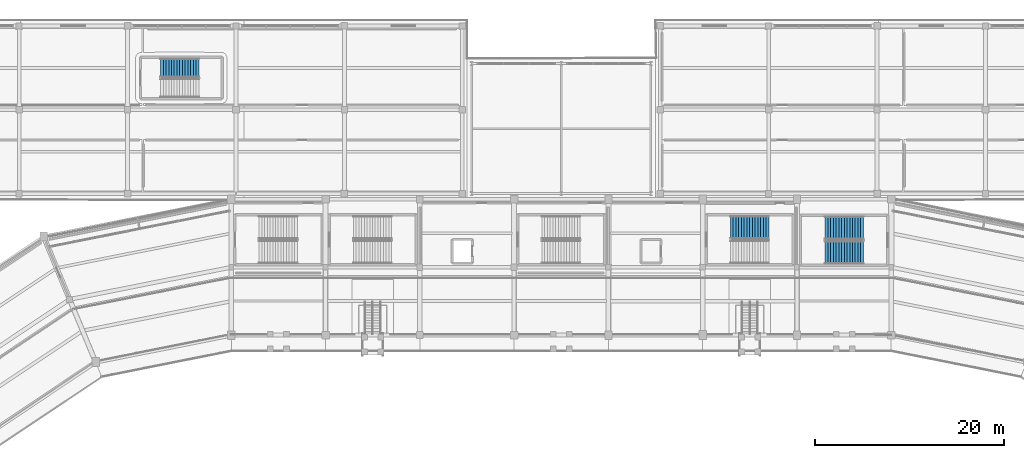
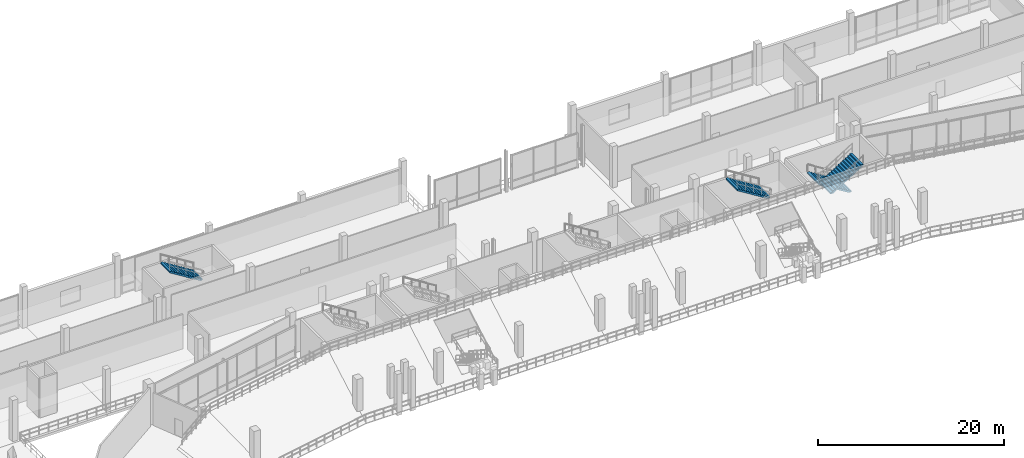
# One storey, part 90 of 127: 4 stair flights, 3 elements without a shape of their own.
"""IFC4 building model written with IfcOpenShell, lengths in metres."""

from ifc_helpers import new_model, si_unit, direction, frame, origin, place, context, subcontext, project, spatial, polyline, outline, extrude, material, type_object, element, aggregate, save


model = new_model("IFC4")

# Units and contexts
model_context = context("Model", 3, precision=1e-05, world=origin(), true_north=direction((0.0, 1.0)))
body_context = subcontext(model_context, "Body", "Model", "MODEL_VIEW")
ifc_project = project(units=[si_unit("LENGTHUNIT", "METRE"), si_unit("AREAUNIT", "SQUARE_METRE"), si_unit("VOLUMEUNIT", "CUBIC_METRE"), si_unit("PLANEANGLEUNIT", "RADIAN"), si_unit("MASSUNIT", "GRAM", prefix="KILO")], contexts=[model_context])

# Site, building, storey
site_placement = place(None, origin())
site = spatial("IfcSite", under=ifc_project, at=site_placement, CompositionType="ELEMENT")
building_placement = place(site_placement, origin())
building = spatial("IfcBuilding", under=site, at=building_placement, Name="Candeia Ridge Stadium", CompositionType="ELEMENT")
storey_placement = place(building_placement, frame((0.0, 0.0, 10.800048828125)))
storey = spatial("IfcBuildingStorey", under=building, at=storey_placement, Name="L02", CompositionType="ELEMENT", Elevation=10.800048828125)

# Stair, stair flights
ifc_material_1 = material(Name="Concrete C40/50", Category="concrete")
stair_type_1 = type_object("IfcStairType", Name="Enclosed Core Half-Turn Stair 2450", PredefinedType="HALF_TURN_STAIR", material=ifc_material_1)
stair_1_placement = place(storey_placement, origin())
stair_1 = element("IfcStair", 1, at=stair_1_placement, inside=storey, type_object=stair_type_1, Name="L02 Enclosed exit stair ST04", PredefinedType="HALF_TURN_STAIR")
ifc_material_2 = material(Name="Precast concrete C40/50", Category="concrete")
stair_flight_type_1 = type_object("IfcStairFlightType", Name="Core Precast Stair Flight 2450", PredefinedType="STRAIGHT", material=ifc_material_2)
stair_flight_1_placement = place(storey_placement, frame((138.050048828125, 143.97509765625, 0.0), z_axis=(0.0, 0.0, 1.0), x_axis=(-1.0, 0.0, 0.0)))
stair_flight_1 = element("IfcStairFlight", 2, at=stair_flight_1_placement, type_object=stair_flight_type_1, Name="ST04 flight 1", NumberOfRisers=15, NumberOfTreads=14, PredefinedType="STRAIGHT", RiserHeight=0.18, TreadLength=0.29, context=body_context, shape_type="SweptSolid", body=[
    extrude(outline(polyline([(0.0, 0.0), (0.0, 0.179931640625), (0.2900390625, 0.179931640625), (0.2900390625, 0.360107421875), (0.580078125, 0.360107421875), (0.580078125, 0.5400390625), (0.8701171875, 0.5400390625), (0.8701171875, 0.719970703125), (1.159912109375, 0.719970703125), (1.159912109375, 0.89990234375), (1.449951171875, 0.89990234375), (1.449951171875, 1.080078125), (1.739990234375, 1.080078125), (1.739990234375, 1.260009765625), (2.030029296875, 1.260009765625), (2.030029296875, 1.43994140625), (2.320068359375, 1.43994140625), (2.320068359375, 1.6201171875), (2.610107421875, 1.6201171875), (2.610107421875, 1.800048828125), (2.89990234375, 1.800048828125), (2.89990234375, 1.97998046875), (3.18994140625, 1.97998046875), (3.18994140625, 2.159912109375), (3.47998046875, 2.159912109375), (3.47998046875, 2.340087890625), (3.77001953125, 2.340087890625), (3.77001953125, 2.52001953125), (4.06005859375, 2.52001953125), (4.06005859375, 2.699951171875), (4.06005859375, 2.331787109375), (0.30322265625, 0.0), (0.0, 0.0)])), frame((0.0, 1.22509765625, 0.0), z_axis=(0.0, -1.0, 0.0), x_axis=(1.0, 0.0, 0.0)), (0.0, 0.0, 1.0), 2.449951171875),
])
stair_flight_2_placement = place(storey_placement, frame((133.989990234375, 141.375, 2.699951171875), z_axis=(0.0, 0.0, 1.0), x_axis=(1.0, 0.0, 0.0)))
stair_flight_2 = element("IfcStairFlight", 3, at=stair_flight_2_placement, type_object=stair_flight_type_1, Name="ST04 flight 2", NumberOfRisers=15, NumberOfTreads=14, PredefinedType="STRAIGHT", RiserHeight=0.18, TreadLength=0.29, context=body_context, shape_type="SweptSolid", body=[
    extrude(outline(polyline([(0.0, 0.0), (0.0, 0.179931640625), (0.2900390625, 0.179931640625), (0.2900390625, 0.360107421875), (0.580078125, 0.360107421875), (0.580078125, 0.5400390625), (0.8701171875, 0.5400390625), (0.8701171875, 0.719970703125), (1.159912109375, 0.719970703125), (1.159912109375, 0.89990234375), (1.449951171875, 0.89990234375), (1.449951171875, 1.080078125), (1.739990234375, 1.080078125), (1.739990234375, 1.260009765625), (2.030029296875, 1.260009765625), (2.030029296875, 1.43994140625), (2.320068359375, 1.43994140625), (2.320068359375, 1.6201171875), (2.610107421875, 1.6201171875), (2.610107421875, 1.800048828125), (2.89990234375, 1.800048828125), (2.89990234375, 1.97998046875), (3.18994140625, 1.97998046875), (3.18994140625, 2.159912109375), (3.47998046875, 2.159912109375), (3.47998046875, 2.340087890625), (3.77001953125, 2.340087890625), (3.77001953125, 2.52001953125), (4.06005859375, 2.52001953125), (4.06005859375, 2.699951171875), (4.06005859375, 2.331787109375), (0.30322265625, 0.0), (0.0, 0.0)])), frame((0.0, 1.22509765625, 0.0), z_axis=(0.0, -1.0, 0.0), x_axis=(1.0, 0.0, 0.0)), (0.0, 0.0, 1.0), 2.449951171875),
])
aggregate(stair_1, [stair_flight_1, stair_flight_2])

# Stair, stair flight
stair_2_placement = place(storey_placement, origin())
stair_2 = element("IfcStair", 4, at=stair_2_placement, inside=storey, type_object=stair_type_1, Name="L02 Enclosed exit stair ST10", PredefinedType="HALF_TURN_STAIR")
stair_flight_3_placement = place(storey_placement, frame((128.010009765625, 144.02490234375, 2.699951171875), z_axis=(0.0, 0.0, 1.0), x_axis=(-1.0, 0.0, 0.0)))
stair_flight_3 = element("IfcStairFlight", 5, at=stair_flight_3_placement, type_object=stair_flight_type_1, Name="ST10 flight 2", NumberOfRisers=15, NumberOfTreads=14, PredefinedType="STRAIGHT", RiserHeight=0.18, TreadLength=0.29, context=body_context, shape_type="SweptSolid", body=[
    extrude(outline(polyline([(0.0, 0.0), (0.0, 0.179931640625), (0.2900390625, 0.179931640625), (0.2900390625, 0.360107421875), (0.580078125, 0.360107421875), (0.580078125, 0.5400390625), (0.8701171875, 0.5400390625), (0.8701171875, 0.719970703125), (1.159912109375, 0.719970703125), (1.159912109375, 0.89990234375), (1.449951171875, 0.89990234375), (1.449951171875, 1.080078125), (1.739990234375, 1.080078125), (1.739990234375, 1.260009765625), (2.030029296875, 1.260009765625), (2.030029296875, 1.43994140625), (2.320068359375, 1.43994140625), (2.320068359375, 1.6201171875), (2.610107421875, 1.6201171875), (2.610107421875, 1.800048828125), (2.89990234375, 1.800048828125), (2.89990234375, 1.97998046875), (3.18994140625, 1.97998046875), (3.18994140625, 2.159912109375), (3.47998046875, 2.159912109375), (3.47998046875, 2.340087890625), (3.77001953125, 2.340087890625), (3.77001953125, 2.52001953125), (4.06005859375, 2.52001953125), (4.06005859375, 2.699951171875), (4.06005859375, 2.331787109375), (0.30322265625, 0.0), (0.0, 0.0)])), frame((0.0, 1.22509765625, 0.0), z_axis=(0.0, -1.0, 0.0), x_axis=(1.0, 0.0, 0.0)), (0.0, 0.0, 1.0), 2.449951171875),
])
aggregate(stair_2, [stair_flight_3])

stair_type_2 = type_object("IfcStairType", Name="Enclosed Wing Half-Turn Stair 2000", PredefinedType="HALF_TURN_STAIR", material=ifc_material_1)
stair_3_placement = place(storey_placement, origin())
stair_3 = element("IfcStair", 6, at=stair_3_placement, inside=storey, type_object=stair_type_2, Name="L02 Enclosed exit stair ST15", PredefinedType="HALF_TURN_STAIR")
stair_flight_type_2 = type_object("IfcStairFlightType", Name="Wing Precast Stair Flight 2000", PredefinedType="STRAIGHT", material=ifc_material_2)
stair_flight_4_placement = place(storey_placement, frame((67.56005859375, 160.949951171875, 2.699951171875), z_axis=(0.0, 0.0, 1.0), x_axis=(-1.0, 0.0, 0.0)))
stair_flight_4 = element("IfcStairFlight", 7, at=stair_flight_4_placement, type_object=stair_flight_type_2, Name="ST15 flight 2", NumberOfRisers=15, NumberOfTreads=14, PredefinedType="STRAIGHT", RiserHeight=0.18, TreadLength=0.29, context=body_context, shape_type="SweptSolid", body=[
    extrude(outline(polyline([(0.0, 0.0), (0.0, 0.179931640625), (0.2900390625, 0.179931640625), (0.2900390625, 0.360107421875), (0.580078125, 0.360107421875), (0.580078125, 0.5400390625), (0.8701171875, 0.5400390625), (0.8701171875, 0.719970703125), (1.159912109375, 0.719970703125), (1.159912109375, 0.89990234375), (1.449951171875, 0.89990234375), (1.449951171875, 1.080078125), (1.739990234375, 1.080078125), (1.739990234375, 1.260009765625), (2.030029296875, 1.260009765625), (2.030029296875, 1.43994140625), (2.320068359375, 1.43994140625), (2.320068359375, 1.6201171875), (2.610107421875, 1.6201171875), (2.610107421875, 1.800048828125), (2.89990234375, 1.800048828125), (2.89990234375, 1.97998046875), (3.18994140625, 1.97998046875), (3.18994140625, 2.159912109375), (3.47998046875, 2.159912109375), (3.47998046875, 2.340087890625), (3.77001953125, 2.340087890625), (3.77001953125, 2.52001953125), (4.06005859375, 2.52001953125), (4.06005859375, 2.699951171875), (4.06005859375, 2.331787109375), (0.30322265625, 0.0), (0.0, 0.0)])), frame((0.0, 1.0, 0.0), z_axis=(0.0, -1.0, 0.0), x_axis=(1.0, 0.0, 0.0)), (0.0, 0.0, 1.0), 2.0),
])
aggregate(stair_3, [stair_flight_4])

save(model, "model.ifc")
